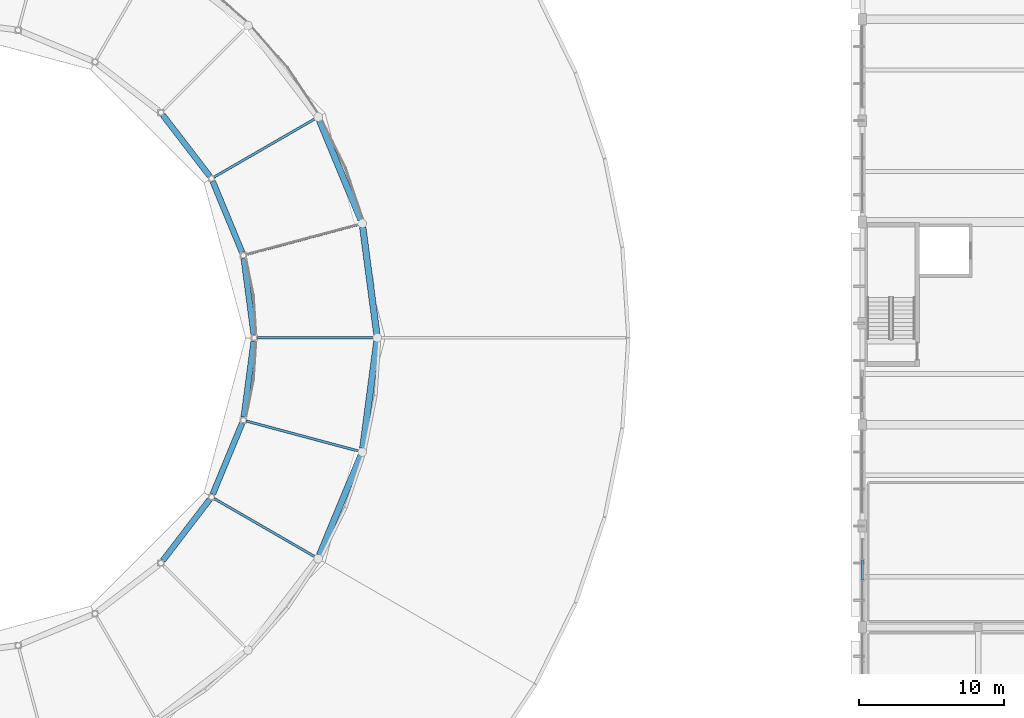
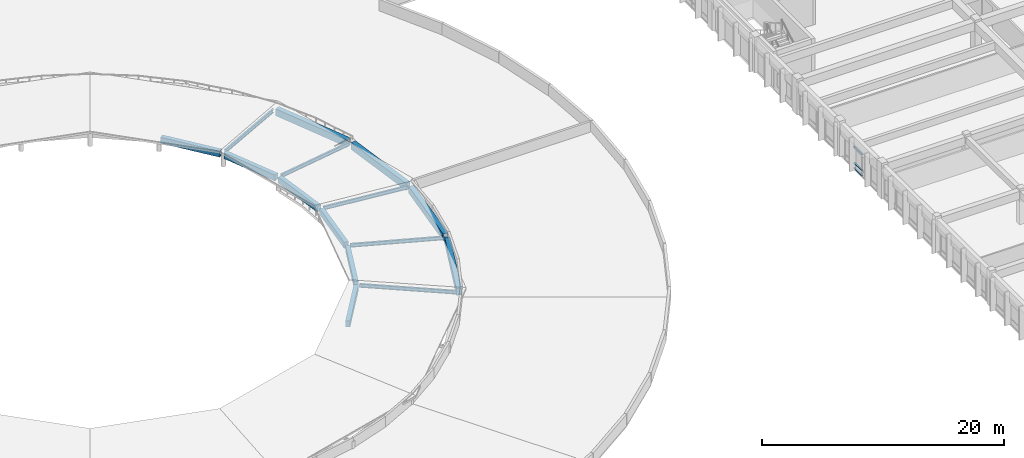
# One storey, part 14 of 77: 15 beams, 3 members, 1 element without a shape of its own.
"""IFC4 building model written with IfcOpenShell, lengths in metres."""

from ifc_helpers import new_model, si_unit, direction, frame, origin, origin_2d, place, context, subcontext, project, spatial, rectangle, i_section, extrude, material, material_profile, profile_set, type_object, element, aggregate, save


model = new_model("IFC4")

# Units and contexts
model_context = context("Model", 3, precision=1e-05, world=origin(), true_north=direction((0.0, 1.0)))
body_context = subcontext(model_context, "Body", "Model", "MODEL_VIEW")
ifc_project = project(units=[si_unit("LENGTHUNIT", "METRE"), si_unit("AREAUNIT", "SQUARE_METRE"), si_unit("VOLUMEUNIT", "CUBIC_METRE"), si_unit("PLANEANGLEUNIT", "RADIAN"), si_unit("MASSUNIT", "GRAM", prefix="KILO")], contexts=[model_context])

# Site, building, storey
site_placement = place(None, origin())
site = spatial("IfcSite", under=ifc_project, at=site_placement, CompositionType="ELEMENT")
building_placement = place(site_placement, origin())
building = spatial("IfcBuilding", under=site, at=building_placement, Name="Larkveld Mobility Hub", CompositionType="ELEMENT")
storey_placement = place(building_placement, frame((0.0, 0.0, 12.0)))
storey = spatial("IfcBuildingStorey", under=building, at=storey_placement, Name="L03", CompositionType="ELEMENT", Elevation=12.0)

# Beams
ifc_material_1 = material(Name="Concrete C40/50", Category="concrete")
ifc_material_profile_1 = material_profile(ifc_material_1, rectangle(XDim=0.39990234375, YDim=0.60009765625, at=origin_2d()), Name="RC BM 400x600")
ifc_profile_set_1 = profile_set([ifc_material_profile_1], Name="Concrete C40/50")
beam_type_1 = type_object("IfcBeamType", Name="BM-RC4060", PredefinedType="BEAM", material=ifc_profile_set_1)
beam_1_placement = place(storey_placement, frame((69.970947265625, 48.218017578125, 1.199951171875), z_axis=(-0.130462848358, 0.991453198693, 0.0), x_axis=(-0.991453198693, -0.130462848358, 0.0)))
element("IfcBeam", 1, at=beam_1_placement, inside=storey, type_object=beam_type_1, Name="Drum Canopy Inner Ring Beam L03-1735", PredefinedType="BEAM", context=body_context, shape_type="SweptSolid", body=[
    extrude(rectangle(XDim=0.39990234375, YDim=0.60009765625, at=origin_2d()), origin(), (0.0, 0.0, 1.0), 5.303466796875),
])
beam_2_placement = place(storey_placement, frame((69.166015625, 53.89697265625, 1.199951171875), z_axis=(-0.382578112795, 0.923923150273, 0.0), x_axis=(-0.923923150273, -0.382578112795, 0.0)))
element("IfcBeam", 2, at=beam_2_placement, inside=storey, type_object=beam_type_1, Name="Drum Canopy Inner Ring Beam L03-1735", PredefinedType="BEAM", context=body_context, shape_type="SweptSolid", body=[
    extrude(rectangle(XDim=0.39990234375, YDim=0.60009765625, at=origin_2d()), origin(), (0.0, 0.0, 1.0), 5.3037109375),
])
for number, where, z_axis, x_axis, name in (
    (3, (66.9189453125, 59.175048828125, 1.199951171875), (-0.608949505638, 0.793208988592, 0.0), (-0.793208988592, -0.608949505638, 0.0), "Drum Canopy Inner Ring Beam L03-1735"),
    (4, (63.68994140625, 32.618896484375, 1.199951171875), (0.608949505638, 0.793208988592, 0.0), (-0.793208988592, 0.608949505638, 0.0), "Drum Canopy Inner Ring Beam L03-1735"),
):
    element("IfcBeam", number, at=place(storey_placement, frame(where, z_axis=z_axis, x_axis=x_axis)), inside=storey, type_object=beam_type_1, Name=name, PredefinedType="BEAM", context=body_context, shape_type="SweptSolid", body=[
        extrude(rectangle(XDim=0.39990234375, YDim=0.60009765625, at=origin_2d()), origin(), (0.0, 0.0, 1.0), 5.302490234375),
    ])
beam_3_placement = place(storey_placement, frame((67.136962890625, 37.202880859375, 1.199951171875), z_axis=(0.382578112795, 0.923923150273, 0.0), x_axis=(-0.923923150273, 0.382578112795, 0.0)))
element("IfcBeam", 5, at=beam_3_placement, inside=storey, type_object=beam_type_1, Name="Drum Canopy Inner Ring Beam L03-1735", PredefinedType="BEAM", context=body_context, shape_type="SweptSolid", body=[
    extrude(rectangle(XDim=0.39990234375, YDim=0.60009765625, at=origin_2d()), origin(), (0.0, 0.0, 1.0), 5.3037109375),
])
beam_4_placement = place(storey_placement, frame((69.279052734375, 42.52392578125, 1.199951171875), z_axis=(0.130462848358, 0.991453198693, 0.0), x_axis=(-0.991453198693, 0.130462848358, 0.0)))
element("IfcBeam", 6, at=beam_4_placement, inside=storey, type_object=beam_type_1, Name="Drum Canopy Inner Ring Beam L03-1735", PredefinedType="BEAM", context=body_context, shape_type="SweptSolid", body=[
    extrude(rectangle(XDim=0.39990234375, YDim=0.60009765625, at=origin_2d()), origin(), (0.0, 0.0, 1.0), 5.303466796875),
])
ifc_material_profile_2 = material_profile(ifc_material_1, rectangle(XDim=0.449951171875, YDim=0.699951171875, at=origin_2d()), Name="RC BM 450x700")
ifc_profile_set_2 = profile_set([ifc_material_profile_2], Name="Concrete C40/50")
beam_type_2 = type_object("IfcBeamType", Name="BM-RC4570", PredefinedType="BEAM", material=ifc_profile_set_2)
beam_5_placement = place(storey_placement, frame((78.466064453125, 48.258056640625, 0.449951171875), z_axis=(-0.130476577955, 0.991451391953, 0.0), x_axis=(-0.991451391953, -0.130476577955, 0.0)))
element("IfcBeam", 7, at=beam_5_placement, inside=storey, type_object=beam_type_2, Name="Drum Canopy Outer Ring Beam L03-1735", PredefinedType="BEAM", context=body_context, shape_type="SweptSolid", body=[
    extrude(rectangle(XDim=0.449951171875, YDim=0.699951171875, at=origin_2d()), origin(), (0.0, 0.0, 1.0), 7.441650390625),
])
for number, where, z_axis, x_axis, name in (
    (8, (77.362060546875, 56.134033203125, 0.449951171875), (-0.382797920301, 0.923832101744, 0.0), (-0.923832101744, -0.382797920301, 0.0), "Drum Canopy Outer Ring Beam L03-1735"),
    (9, (74.512939453125, 32.989990234375, 0.449951171875), (0.382797920301, 0.923832101744, 0.0), (-0.923832101744, 0.382797920301, 0.0), "Drum Canopy Outer Ring Beam L03-1735"),
):
    element("IfcBeam", number, at=place(storey_placement, frame(where, z_axis=z_axis, x_axis=x_axis)), inside=storey, type_object=beam_type_2, Name=name, PredefinedType="BEAM", context=body_context, shape_type="SweptSolid", body=[
        extrude(rectangle(XDim=0.449951171875, YDim=0.699951171875, at=origin_2d()), origin(), (0.0, 0.0, 1.0), 7.44287109375),
    ])
beam_6_placement = place(storey_placement, frame((77.4951171875, 40.364013671875, 0.449951171875), z_axis=(0.130476577955, 0.991451391953, 0.0), x_axis=(-0.991451391953, 0.130476577955, 0.0)))
element("IfcBeam", 10, at=beam_6_placement, inside=storey, type_object=beam_type_2, Name="Drum Canopy Outer Ring Beam L03-1735", PredefinedType="BEAM", context=body_context, shape_type="SweptSolid", body=[
    extrude(rectangle(XDim=0.449951171875, YDim=0.699951171875, at=origin_2d()), origin(), (0.0, 0.0, 1.0), 7.441650390625),
])
ifc_material_2 = material(Name="Steel S355JR", Category="steel")
ifc_material_profile_3 = material_profile(ifc_material_2, i_section(OverallWidth=0.169921875, OverallDepth=0.360107421875, WebThickness=0.008056640625, FlangeThickness=0.0126953125, FilletRadius=0.01806640625, at=origin_2d()), Name="IPE 360")
ifc_profile_set_3 = profile_set([ifc_material_profile_3], Name="Steel S355JR")
beam_type_3 = type_object("IfcBeamType", Name="BM-STIPE360", PredefinedType="BEAM", material=ifc_profile_set_3)
beam_7_placement = place(storey_placement, frame((78.239990234375, 48.0, 0.580078125), z_axis=(-0.996213113902, 0.0, 0.086944992315), x_axis=(0.0, -1.0, 0.0)))
element("IfcBeam", 11, at=beam_7_placement, inside=storey, type_object=beam_type_3, Name="Drum Canopy Radial Rafter L03-1735", PredefinedType="BEAM", context=body_context, shape_type="SweptSolid", body=[
    extrude(i_section(OverallWidth=0.169921875, OverallDepth=0.360107421875, WebThickness=0.008056640625, FlangeThickness=0.0126953125, FilletRadius=0.01806640625, at=origin_2d()), origin(), (0.0, 0.0, 1.0), 8.050537109375),
])
beam_8_placement = place(storey_placement, frame((77.2099609375, 55.826904296875, 0.580078125), z_axis=(-0.962264999411, -0.257851357935, 0.086941061178), x_axis=(0.258831434294, -0.96592250653, 0.0)))
element("IfcBeam", 12, at=beam_8_placement, inside=storey, type_object=beam_type_3, Name="Drum Canopy Radial Rafter L03-1735", PredefinedType="BEAM", context=body_context, shape_type="SweptSolid", body=[
    extrude(i_section(OverallWidth=0.169921875, OverallDepth=0.360107421875, WebThickness=0.008056640625, FlangeThickness=0.0126953125, FilletRadius=0.01806640625, at=origin_2d()), origin(), (0.0, 0.0, 1.0), 8.05078125),
])
for number, where, z_axis, x_axis, name in (
    (13, (74.18896484375, 63.1201171875, 0.580078125), (-0.862730863892, -0.498131769235, 0.086949393144), (0.500025500909, -0.866010680327, 0.0), "Drum Canopy Radial Rafter L03-1735"),
    (14, (74.18896484375, 32.8798828125, 0.580078125), (-0.862730863892, 0.498131769235, 0.086949393144), (-0.500025500909, -0.866010680327, 0.0), "Drum Canopy Radial Rafter L03-1735"),
):
    element("IfcBeam", number, at=place(storey_placement, frame(where, z_axis=z_axis, x_axis=x_axis)), inside=storey, type_object=beam_type_3, Name=name, PredefinedType="BEAM", context=body_context, shape_type="SweptSolid", body=[
        extrude(i_section(OverallWidth=0.169921875, OverallDepth=0.360107421875, WebThickness=0.008056640625, FlangeThickness=0.0126953125, FilletRadius=0.01806640625, at=origin_2d()), origin(), (0.0, 0.0, 1.0), 8.050048828125),
    ])
beam_9_placement = place(storey_placement, frame((77.2099609375, 40.173095703125, 0.580078125), z_axis=(-0.962264999411, 0.257851357935, 0.086941061178), x_axis=(-0.258831434294, -0.96592250653, 0.0)))
element("IfcBeam", 15, at=beam_9_placement, inside=storey, type_object=beam_type_3, Name="Drum Canopy Radial Rafter L03-1735", PredefinedType="BEAM", context=body_context, shape_type="SweptSolid", body=[
    extrude(i_section(OverallWidth=0.169921875, OverallDepth=0.360107421875, WebThickness=0.008056640625, FlangeThickness=0.0126953125, FilletRadius=0.01806640625, at=origin_2d()), origin(), (0.0, 0.0, 1.0), 8.05078125),
])

# Curtain wall, members
ifc_material_3 = material(Name="Anodised aluminium 6063-T6", Category="aluminium")
curtain_wall_type = type_object("IfcCurtainWallType", Name="CW-SYS-10", PredefinedType="NOTDEFINED", material=ifc_material_3)
curtain_wall_placement = place(storey_placement, origin())
curtain_wall = element("IfcCurtainWall", 16, at=curtain_wall_placement, inside=storey, type_object=curtain_wall_type, Name="EV Wing West Glazing L03 CW-142", PredefinedType="NOTDEFINED")
ifc_material_profile_4 = material_profile(ifc_material_3, rectangle(XDim=0.14990234375, YDim=0.050048828125, at=origin_2d()), Name="ALU TRAN 50x150")
ifc_profile_set_4 = profile_set([ifc_material_profile_4], Name="Anodised aluminium 6063-T6")
member_type = type_object("IfcMemberType", Name="CW-TRN-02", PredefinedType="USERDEFINED", material=ifc_profile_set_4)
member_1_placement = place(storey_placement, frame((112.0, 32.6630859375, 0.030029296875), z_axis=(0.0, -1.0, 0.0), x_axis=(1.0, 0.0, 0.0)))
member_1 = element("IfcMember", 17, at=member_1_placement, type_object=member_type, Name="CW10 transom 2.1", ObjectType="TRANSOM", PredefinedType="USERDEFINED", context=body_context, shape_type="SweptSolid", body=[
    extrude(rectangle(XDim=0.14990234375, YDim=0.050048828125, at=origin_2d()), origin(), (0.0, 0.0, 1.0), 1.39306640625),
])
member_2_placement = place(storey_placement, frame((112.0, 32.6630859375, 0.552001953125), z_axis=(0.0, -1.0, 0.0), x_axis=(1.0, 0.0, 0.0)))
member_2 = element("IfcMember", 18, at=member_2_placement, type_object=member_type, Name="CW10 transom 2.2", ObjectType="TRANSOM", PredefinedType="USERDEFINED", context=body_context, shape_type="SweptSolid", body=[
    extrude(rectangle(XDim=0.14990234375, YDim=0.050048828125, at=origin_2d()), origin(), (0.0, 0.0, 1.0), 1.39306640625),
])
member_3_placement = place(storey_placement, frame((112.0, 32.6630859375, 2.177978515625), z_axis=(0.0, -1.0, 0.0), x_axis=(1.0, 0.0, 0.0)))
member_3 = element("IfcMember", 19, at=member_3_placement, type_object=member_type, Name="CW10 transom 2.3", ObjectType="TRANSOM", PredefinedType="USERDEFINED", context=body_context, shape_type="SweptSolid", body=[
    extrude(rectangle(XDim=0.14990234375, YDim=0.050048828125, at=origin_2d()), origin(), (0.0, 0.0, 1.0), 1.39306640625),
])
aggregate(curtain_wall, [member_1, member_2, member_3])

save(model, "model.ifc")
